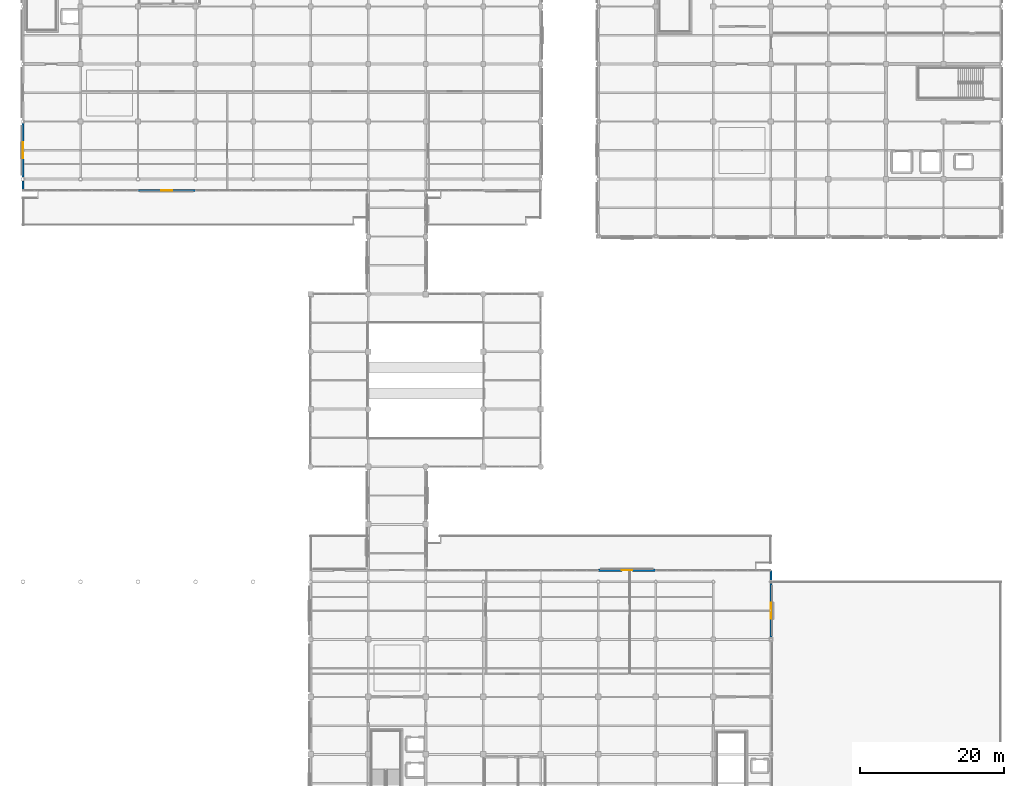
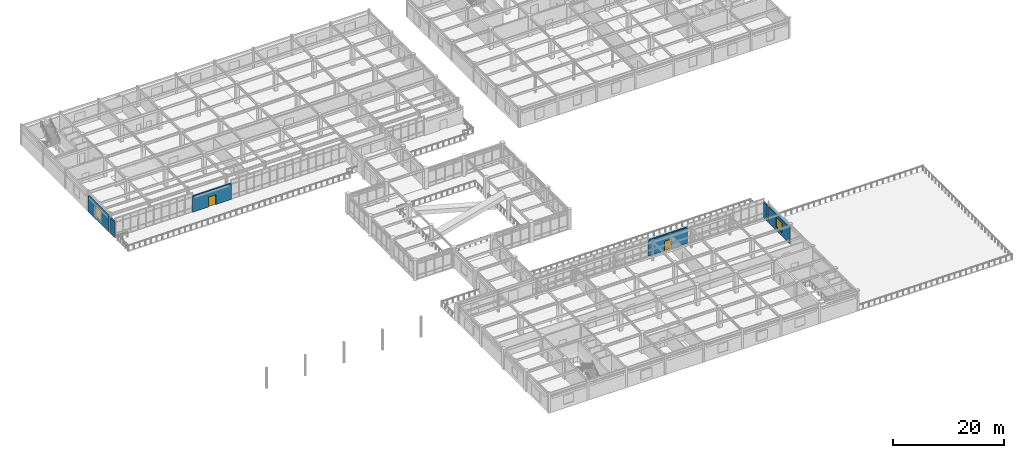
# One storey, part 60 of 93: 6 walls, 2 doors, 2 windows, 4 openings.
"""IFC4 building model written with IfcOpenShell, lengths in metres."""

from ifc_helpers import new_model, si_unit, direction, frame, frame_2d, origin, place, context, subcontext, project, spatial, rectangle, extrude, material, layer, layer_set, type_object, element, fill, save


model = new_model("IFC4")

# Units and contexts
model_context = context("Model", 3, precision=1e-05, world=origin(), true_north=direction((0.0, 1.0)))
body_context = subcontext(model_context, "Body", "Model", "MODEL_VIEW")
ifc_project = project(units=[si_unit("LENGTHUNIT", "METRE"), si_unit("AREAUNIT", "SQUARE_METRE"), si_unit("VOLUMEUNIT", "CUBIC_METRE"), si_unit("PLANEANGLEUNIT", "RADIAN"), si_unit("MASSUNIT", "GRAM", prefix="KILO")], contexts=[model_context])

# Site, building, storey
site_placement = place(None, origin())
site = spatial("IfcSite", under=ifc_project, at=site_placement, CompositionType="ELEMENT")
building_placement = place(site_placement, origin())
building = spatial("IfcBuilding", under=site, at=building_placement, Name="Solmirada Galleria", CompositionType="ELEMENT")
storey_placement = place(building_placement, frame((0.0, 0.0, 14.89990234375)))
storey = spatial("IfcBuildingStorey", under=building, at=storey_placement, Name="L03", CompositionType="ELEMENT", Elevation=14.89990234375)

# Wall, opening, door
ifc_material_1 = material(Name="Precast concrete C40/50", Category="concrete")
ifc_layer = layer(ifc_material_1, 0.31005859375)
ifc_layer_set = layer_set([ifc_layer], Name="Precast concrete C40/50")
wall_type = type_object("IfcWallType", Name="WL-EXT-310", PredefinedType="STANDARD", material=ifc_layer_set)
wall_1_placement = place(storey_placement, frame((64.0, 86.39990234375, 0.0), z_axis=(0.0, 0.0, 1.0), x_axis=(-1.0, 0.0, 0.0)))
wall_1 = element("IfcWall", 1, at=wall_1_placement, inside=storey, type_object=wall_type, Name="Exterior wall L03 bay 013", PredefinedType="STANDARD", context=body_context, shape_type="SweptSolid", body=[
    extrude(rectangle(XDim=8.0, YDim=0.31005859375, at=frame_2d((4.0, 0.0))), origin(), (0.0, 0.0, 1.0), 3.47998046875),
])
opening_1_placement = place(wall_1_placement, frame((3.22509765625, 0.0, 0.0)))
opening_1 = element("IfcOpeningElement", 2, at=opening_1_placement, cuts=wall_1, Name="Opening TD-065", PredefinedType="OPENING", context=body_context, shape_type="SweptSolid", body=[
    extrude(rectangle(XDim=1.550048828125, YDim=2.14990234375, at=frame_2d((0.77490234375, 1.074951171875))), frame((0.0, 0.1650390625, 0.0), z_axis=(0.0, -1.0, 0.0), x_axis=(1.0, 0.0, 0.0)), (0.0, 0.0, 1.0), 0.330078125),
])
ifc_material_2 = material(Name="Thermally broken aluminium and laminated glass door", Category="aluminium")
door_type_1 = type_object("IfcDoorType", Name="DR-TERR-155X215", OperationType="DOUBLE_DOOR_SINGLE_SWING", PredefinedType="DOOR", material=ifc_material_2)
door_1_placement = place(opening_1_placement, origin())
door_1 = element("IfcDoor", 3, at=door_1_placement, inside=storey, type_object=door_type_1, Name="Planted terrace access door TD-065", OperationType="DOUBLE_DOOR_SINGLE_SWING", OverallHeight=2.14990234375, OverallWidth=1.550048828125, PredefinedType="DOOR", context=body_context, shape_type="SweptSolid", body=[
    extrude(rectangle(XDim=1.550048828125, YDim=2.14990234375, at=frame_2d((0.77490234375, 1.074951171875))), frame((0.0, 0.02490234375, 0.0), z_axis=(0.0, -1.0, 0.0), x_axis=(1.0, 0.0, 0.0)), (0.0, 0.0, 1.0), 0.050048828125),
])
fill(opening_1, door_1)

# Wall
wall_2_placement = place(storey_placement, frame((40.0, 86.39990234375, 0.0), z_axis=(0.0, 0.0, 1.0), x_axis=(0.0, 1.0, 0.0)))
element("IfcWall", 4, at=wall_2_placement, inside=storey, type_object=wall_type, Name="Exterior wall L03 bay 016", PredefinedType="STANDARD", context=body_context, shape_type="SweptSolid", body=[
    extrude(rectangle(XDim=1.34619140625, YDim=0.31005859375, at=frame_2d((0.673095703125, 0.0))), origin(), (0.0, 0.0, 1.0), 3.47998046875),
])

# Wall, opening, window
wall_3_placement = place(storey_placement, frame((40.0, 88.25390625, 0.0), z_axis=(0.0, 0.0, 1.0), x_axis=(0.0, 1.0, 0.0)))
wall_3 = element("IfcWall", 5, at=wall_3_placement, inside=storey, type_object=wall_type, Name="Exterior wall L03 bay 017", PredefinedType="STANDARD", context=body_context, shape_type="SweptSolid", body=[
    extrude(rectangle(XDim=7.543212890625, YDim=0.31005859375, at=frame_2d((3.771484375, 0.0))), origin(), (0.0, 0.0, 1.0), 3.47998046875),
])
opening_2_placement = place(wall_3_placement, frame((2.6708984375, 0.0, 0.800048828125)))
opening_2 = element("IfcOpeningElement", 6, at=opening_2_placement, cuts=wall_3, Name="Opening WN3", PredefinedType="OPENING", context=body_context, shape_type="SweptSolid", body=[
    extrude(rectangle(XDim=2.199951171875, YDim=2.050048828125, at=frame_2d((1.10009765625, 1.02490234375))), frame((0.0, 0.1650390625, 0.0), z_axis=(0.0, -1.0, 0.0), x_axis=(1.0, 0.0, 0.0)), (0.0, 0.0, 1.0), 0.330078125),
])
ifc_material_3 = material(Name="Impact-resistant low-E double glazing", Category="glass")
window_type = type_object("IfcWindowType", Name="WIN-AVE-220X205", PartitioningType="DOUBLE_PANEL_VERTICAL", PredefinedType="WINDOW", material=ifc_material_3)
window_1_placement = place(opening_2_placement, origin())
window_1 = element("IfcWindow", 7, at=window_1_placement, inside=storey, type_object=window_type, Name="Window L03-072", OverallHeight=2.050048828125, OverallWidth=2.199951171875, PartitioningType="DOUBLE_PANEL_VERTICAL", PredefinedType="WINDOW", context=body_context, shape_type="SweptSolid", body=[
    extrude(rectangle(XDim=2.199951171875, YDim=2.050048828125, at=frame_2d((1.10009765625, 1.02490234375))), frame((0.0, 0.030029296875, 0.0), z_axis=(0.0, -1.0, 0.0), x_axis=(1.0, 0.0, 0.0)), (0.0, 0.0, 1.0), 0.06005859375),
])
fill(opening_2, window_1)

# Wall, opening, door
wall_4_placement = place(storey_placement, frame((120.0, 33.60009765625, 0.0), z_axis=(0.0, 0.0, 1.0), x_axis=(1.0, 0.0, 0.0)))
wall_4 = element("IfcWall", 8, at=wall_4_placement, inside=storey, type_object=wall_type, Name="Exterior wall L03 bay 051", PredefinedType="STANDARD", context=body_context, shape_type="SweptSolid", body=[
    extrude(rectangle(XDim=8.0, YDim=0.31005859375, at=frame_2d((4.0, 0.0))), origin(), (0.0, 0.0, 1.0), 3.47998046875),
])
opening_3_placement = place(wall_4_placement, frame((3.27490234375, 0.0, 0.0)))
opening_3 = element("IfcOpeningElement", 9, at=opening_3_placement, cuts=wall_4, Name="Opening TD-067", PredefinedType="OPENING", context=body_context, shape_type="SweptSolid", body=[
    extrude(rectangle(XDim=1.449951171875, YDim=2.10009765625, at=frame_2d((0.72509765625, 1.050048828125))), frame((0.0, 0.1650390625, 0.0), z_axis=(0.0, -1.0, 0.0), x_axis=(1.0, 0.0, 0.0)), (0.0, 0.0, 1.0), 0.330078125),
])
door_type_2 = type_object("IfcDoorType", Name="DR-TERR-145X210", OperationType="DOUBLE_DOOR_SINGLE_SWING", PredefinedType="DOOR", material=ifc_material_2)
door_2_placement = place(opening_3_placement, origin())
door_2 = element("IfcDoor", 10, at=door_2_placement, inside=storey, type_object=door_type_2, Name="Planted terrace access door TD-067", OperationType="DOUBLE_DOOR_SINGLE_SWING", OverallHeight=2.10009765625, OverallWidth=1.449951171875, PredefinedType="DOOR", context=body_context, shape_type="SweptSolid", body=[
    extrude(rectangle(XDim=1.449951171875, YDim=2.10009765625, at=frame_2d((0.72509765625, 1.050048828125))), frame((0.0, 0.02490234375, 0.0), z_axis=(0.0, -1.0, 0.0), x_axis=(1.0, 0.0, 0.0)), (0.0, 0.0, 1.0), 0.050048828125),
])
fill(opening_3, door_2)

# Wall
wall_5_placement = place(storey_placement, frame((144.0, 33.60009765625, 0.0), z_axis=(0.0, 0.0, 1.0), x_axis=(0.0, -1.0, 0.0)))
element("IfcWall", 11, at=wall_5_placement, inside=storey, type_object=wall_type, Name="Exterior wall L03 bay 054", PredefinedType="STANDARD", context=body_context, shape_type="SweptSolid", body=[
    extrude(rectangle(XDim=1.397216796875, YDim=0.31005859375, at=frame_2d((0.69873046875, 0.0))), origin(), (0.0, 0.0, 1.0), 3.47998046875),
])

# Wall, opening, window
wall_6_placement = place(storey_placement, frame((144.0, 31.797119140625, 0.0), z_axis=(0.0, 0.0, 1.0), x_axis=(0.0, -1.0, 0.0)))
wall_6 = element("IfcWall", 12, at=wall_6_placement, inside=storey, type_object=wall_type, Name="Exterior wall L03 bay 055", PredefinedType="STANDARD", context=body_context, shape_type="SweptSolid", body=[
    extrude(rectangle(XDim=7.619140625, YDim=0.31005859375, at=frame_2d((3.8095703125, 0.0))), origin(), (0.0, 0.0, 1.0), 3.47998046875),
])
opening_4_placement = place(wall_6_placement, frame((2.708984375, 0.0, 0.800048828125)))
opening_4 = element("IfcOpeningElement", 13, at=opening_4_placement, cuts=wall_6, Name="Opening WN3", PredefinedType="OPENING", context=body_context, shape_type="SweptSolid", body=[
    extrude(rectangle(XDim=2.199951171875, YDim=2.050048828125, at=frame_2d((1.10009765625, 1.02490234375))), frame((0.0, 0.1650390625, 0.0), z_axis=(0.0, -1.0, 0.0), x_axis=(1.0, 0.0, 0.0)), (0.0, 0.0, 1.0), 0.330078125),
])
window_2_placement = place(opening_4_placement, origin())
window_2 = element("IfcWindow", 14, at=window_2_placement, inside=storey, type_object=window_type, Name="Window L03-088", OverallHeight=2.050048828125, OverallWidth=2.199951171875, PartitioningType="DOUBLE_PANEL_VERTICAL", PredefinedType="WINDOW", context=body_context, shape_type="SweptSolid", body=[
    extrude(rectangle(XDim=2.199951171875, YDim=2.050048828125, at=frame_2d((1.10009765625, 1.02490234375))), frame((0.0, 0.030029296875, 0.0), z_axis=(0.0, -1.0, 0.0), x_axis=(1.0, 0.0, 0.0)), (0.0, 0.0, 1.0), 0.06005859375),
])
fill(opening_4, window_2)

save(model, "model.ifc")
